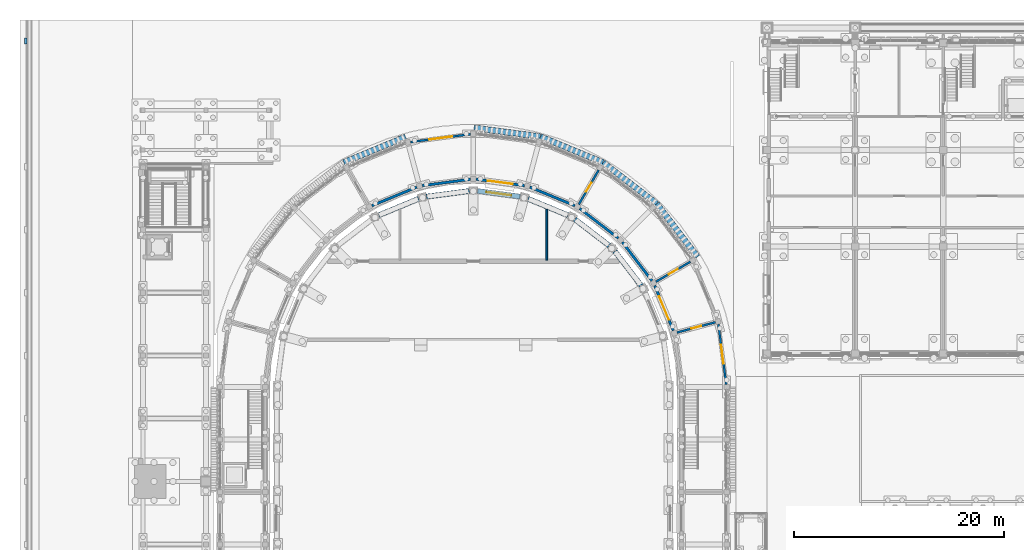
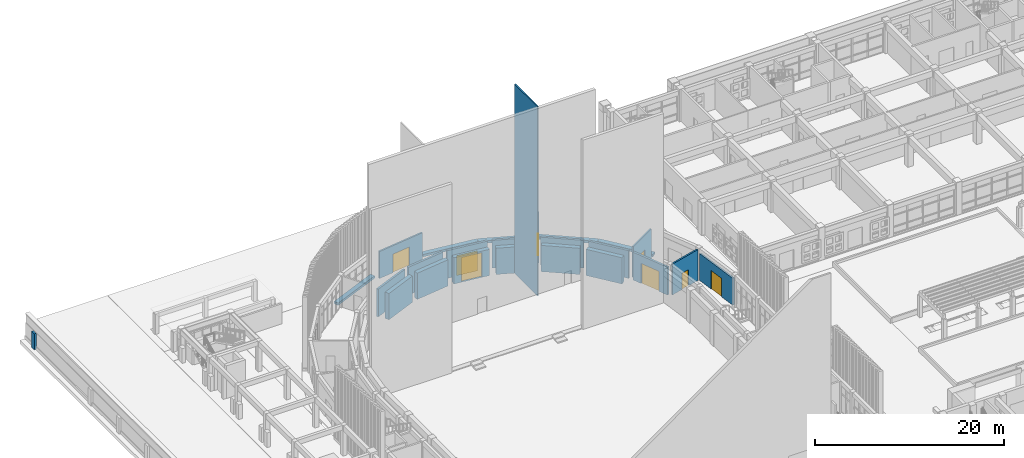
# One storey, part 70 of 112: 25 walls, 8 doors, 8 openings.
"""IFC4 building model written with IfcOpenShell, lengths in metres."""

from ifc_helpers import new_model, si_unit, direction, frame, frame_2d, origin, place, context, subcontext, project, spatial, rectangle, extrude, material, layer, layer_set, type_object, element, fill, save


model = new_model("IFC4")

# Units and contexts
model_context = context("Model", 3, precision=1e-05, world=origin(), true_north=direction((0.0, 1.0)))
body_context = subcontext(model_context, "Body", "Model", "MODEL_VIEW")
ifc_project = project(units=[si_unit("LENGTHUNIT", "METRE"), si_unit("AREAUNIT", "SQUARE_METRE"), si_unit("VOLUMEUNIT", "CUBIC_METRE"), si_unit("PLANEANGLEUNIT", "RADIAN"), si_unit("MASSUNIT", "GRAM", prefix="KILO")], contexts=[model_context])

# Site, building, storey
site_placement = place(None, origin())
site = spatial("IfcSite", under=ifc_project, at=site_placement, CompositionType="ELEMENT")
building_placement = place(site_placement, origin())
building = spatial("IfcBuilding", under=site, at=building_placement, Name="Wasatch Bagh Community Centre", CompositionType="ELEMENT")
storey_placement = place(building_placement, origin())
storey = spatial("IfcBuildingStorey", under=building, at=storey_placement, Name="L00", CompositionType="ELEMENT", Elevation=0.0)

# Wall, opening, door
ifc_material_1 = material(Name="Concrete C40", Category="concrete")
ifc_layer_1 = layer(ifc_material_1, 0.199951171875)
ifc_layer_set_1 = layer_set([ifc_layer_1], Name="Concrete C40")
wall_type_1 = type_object("IfcWallType", Name="Drum core wall RC WALL 200", PredefinedType="STANDARD", material=ifc_layer_set_1)
wall_1_placement = place(storey_placement, frame((55.4150390625, 70.2021484375, 0.0), z_axis=(0.0, 0.0, 1.0), x_axis=(0.965919660258, 0.258842055948, 0.0)))
wall_1 = element("IfcWall", 1, at=wall_1_placement, inside=storey, type_object=wall_type_1, Name="Partition 19", PredefinedType="STANDARD", context=body_context, shape_type="SweptSolid", body=[
    extrude(rectangle(XDim=3.800048828125, YDim=0.199951171875, at=frame_2d((1.89990234375, 0.0))), origin(), (0.0, 0.0, 1.0), 4.0),
])
opening_1_placement = place(wall_1_placement, frame((1.39990234375, 0.0, 0.0)))
opening_1 = element("IfcOpeningElement", 2, at=opening_1_placement, cuts=wall_1, Name="Opening 0F-27", PredefinedType="OPENING", context=body_context, shape_type="SweptSolid", body=[
    extrude(rectangle(XDim=1.0, YDim=2.10009765625, at=frame_2d((0.5, 1.050048828125))), frame((0.0, 0.10986328125, 0.0), z_axis=(0.0, -1.0, 0.0), x_axis=(1.0, 0.0, 0.0)), (0.0, 0.0, 1.0), 0.219970703125),
])
ifc_material_2 = material(Name="Timber door leaf in steel frame", Category="steel")
door_type_1 = type_object("IfcDoorType", Name="Drum door single 1000 x 2100", OperationType="SINGLE_SWING_LEFT", PredefinedType="DOOR", material=ifc_material_2)
door_1_placement = place(opening_1_placement, origin())
door_1 = element("IfcDoor", 3, at=door_1_placement, inside=storey, type_object=door_type_1, Name="Door 0F-27", OperationType="SINGLE_SWING_LEFT", OverallHeight=2.10009765625, OverallWidth=1.0, PredefinedType="DOOR", context=body_context, shape_type="SweptSolid", body=[
    extrude(rectangle(XDim=1.0, YDim=2.10009765625, at=frame_2d((0.5, 1.050048828125))), frame((0.0, 0.02490234375, 0.0), z_axis=(0.0, -1.0, 0.0), x_axis=(1.0, 0.0, 0.0)), (0.0, 0.0, 1.0), 0.050048828125),
])
fill(opening_1, door_1)

ifc_layer_2 = layer(ifc_material_1, 0.199951171875)
ifc_layer_set_2 = layer_set([ifc_layer_2], Name="Concrete C40")
wall_type_2 = type_object("IfcWallType", Name="Drum entrance bay wall RC WALL 200", PredefinedType="STANDARD", material=ifc_layer_set_2)
wall_2_placement = place(storey_placement, frame((60.115234375, 65.263427734375, 0.0), z_axis=(0.0, 0.0, 1.0), x_axis=(-0.130512494435, 0.991446664625, 0.0)))
wall_2 = element("IfcWall", 4, at=wall_2_placement, inside=storey, type_object=wall_type_2, Name="Entrance bay wall 19", PredefinedType="STANDARD", context=body_context, shape_type="SweptSolid", body=[
    extrude(rectangle(XDim=5.772705078125, YDim=0.199951171875, at=frame_2d((2.88623046875, 0.0))), origin(), (0.0, 0.0, 1.0), 3.5),
])
opening_2_placement = place(wall_2_placement, frame((1.986328125, 0.0, 0.0)))
opening_2 = element("IfcOpeningElement", 5, at=opening_2_placement, cuts=wall_2, Name="Opening 0F-08", PredefinedType="OPENING", context=body_context, shape_type="SweptSolid", body=[
    extrude(rectangle(XDim=1.800048828125, YDim=2.39990234375, at=frame_2d((0.89990234375, 1.199951171875))), frame((0.0, 0.10986328125, 0.0), z_axis=(0.0, -1.0, 0.0), x_axis=(1.0, 0.0, 0.0)), (0.0, 0.0, 1.0), 0.219970703125),
])
ifc_material_3 = material(Name="Aluminium framed door with low-iron insulated glass", Category="aluminium")
door_type_2 = type_object("IfcDoorType", Name="Drum exit door pair 1800 x 2400", OperationType="DOUBLE_DOOR_DOUBLE_SWING", PredefinedType="DOOR", material=ifc_material_3)
door_2_placement = place(opening_2_placement, origin())
door_2 = element("IfcDoor", 6, at=door_2_placement, inside=storey, type_object=door_type_2, Name="Door 0F-08", OperationType="DOUBLE_DOOR_DOUBLE_SWING", OverallHeight=2.39990234375, OverallWidth=1.800048828125, PredefinedType="DOOR", context=body_context, shape_type="SweptSolid", body=[
    extrude(rectangle(XDim=1.800048828125, YDim=2.39990234375, at=frame_2d((0.89990234375, 1.199951171875))), frame((0.0, 0.02490234375, 0.0), z_axis=(0.0, -1.0, 0.0), x_axis=(1.0, 0.0, 0.0)), (0.0, 0.0, 1.0), 0.050048828125),
])
fill(opening_2, door_2)

wall_3_placement = place(storey_placement, frame((35.736572265625, 89.115234375, 0.0), z_axis=(0.0, 0.0, 1.0), x_axis=(-0.991446664625, -0.130512494435, 0.0)))
wall_3 = element("IfcWall", 7, at=wall_3_placement, inside=storey, type_object=wall_type_2, Name="Entrance bay wall 25", PredefinedType="STANDARD", context=body_context, shape_type="SweptSolid", body=[
    extrude(rectangle(XDim=5.772705078125, YDim=0.199951171875, at=frame_2d((2.88623046875, 0.0))), origin(), (0.0, 0.0, 1.0), 3.5),
])
opening_3_placement = place(wall_3_placement, frame((1.786376953125, 0.0, 0.0)))
opening_3 = element("IfcOpeningElement", 8, at=opening_3_placement, cuts=wall_3, Name="Opening 0F-10", PredefinedType="OPENING", context=body_context, shape_type="SweptSolid", body=[
    extrude(rectangle(XDim=2.199951171875, YDim=2.39990234375, at=frame_2d((1.10009765625, 1.199951171875))), frame((0.0, 0.10986328125, 0.0), z_axis=(0.0, -1.0, 0.0), x_axis=(1.0, 0.0, 0.0)), (0.0, 0.0, 1.0), 0.219970703125),
])
door_type_3 = type_object("IfcDoorType", Name="Drum hall exit door pair 2200 x 2400", OperationType="DOUBLE_DOOR_DOUBLE_SWING", PredefinedType="DOOR", material=ifc_material_3)
door_3_placement = place(opening_3_placement, origin())
door_3 = element("IfcDoor", 9, at=door_3_placement, inside=storey, type_object=door_type_3, Name="Door 0F-10", OperationType="DOUBLE_DOOR_DOUBLE_SWING", OverallHeight=2.39990234375, OverallWidth=2.199951171875, PredefinedType="DOOR", context=body_context, shape_type="SweptSolid", body=[
    extrude(rectangle(XDim=2.199951171875, YDim=2.39990234375, at=frame_2d((1.10009765625, 1.199951171875))), frame((0.0, 0.02490234375, 0.0), z_axis=(0.0, -1.0, 0.0), x_axis=(1.0, 0.0, 0.0)), (0.0, 0.0, 1.0), 0.050048828125),
])
fill(opening_3, door_3)

ifc_layer_3 = layer(ifc_material_1, 0.25)
ifc_layer_set_3 = layer_set([ifc_layer_3], Name="Concrete C40")
wall_type_3 = type_object("IfcWallType", Name="Drum inner wall RC WALL 250", PredefinedType="SHEAR", material=ifc_layer_set_3)
wall_4_placement = place(storey_placement, frame((55.070556640625, 70.38623046875, 0.0), z_axis=(0.0, 0.0, 1.0), x_axis=(-0.382658268537, 0.923889955309, 0.0)))
wall_4 = element("IfcWall", 10, at=wall_4_placement, inside=storey, type_object=wall_type_3, Name="Inner wall 20", PredefinedType="SHEAR", context=body_context, shape_type="SweptSolid", body=[
    extrude(rectangle(XDim=4.6435546875, YDim=0.25, at=frame_2d((2.32177734375, 0.0))), origin(), (0.0, 0.0, 1.0), 3.60009765625),
])
opening_4_placement = place(wall_4_placement, frame((1.121826171875, 0.0, 0.0)))
opening_4 = element("IfcOpeningElement", 11, at=opening_4_placement, cuts=wall_4, Name="Opening 0F-66", PredefinedType="OPENING", context=body_context, shape_type="SweptSolid", body=[
    extrude(rectangle(XDim=2.39990234375, YDim=2.60009765625, at=frame_2d((1.199951171875, 1.300048828125))), frame((0.0, 0.135009765625, 0.0), z_axis=(0.0, -1.0, 0.0), x_axis=(1.0, 0.0, 0.0)), (0.0, 0.0, 1.0), 0.27001953125),
])
door_type_4 = type_object("IfcDoorType", Name="Drum gate door pair 2400 x 2600", OperationType="DOUBLE_DOOR_SLIDING", PredefinedType="DOOR", material=ifc_material_3)
door_4_placement = place(opening_4_placement, origin())
door_4 = element("IfcDoor", 12, at=door_4_placement, inside=storey, type_object=door_type_4, Name="Door 0F-66", OperationType="DOUBLE_DOOR_SLIDING", OverallHeight=2.60009765625, OverallWidth=2.39990234375, PredefinedType="DOOR", context=body_context, shape_type="SweptSolid", body=[
    extrude(rectangle(XDim=2.39990234375, YDim=2.60009765625, at=frame_2d((1.199951171875, 1.300048828125))), frame((0.0, 0.02490234375, 0.0), z_axis=(0.0, -1.0, 0.0), x_axis=(1.0, 0.0, 0.0)), (0.0, 0.0, 1.0), 0.050048828125),
])
fill(opening_4, door_4)

# Walls
for number, where, z_axis, x_axis, name in (
    (13, (53.02685546875, 75.138427734375, 0.0), (0.0, 0.0, 1.0), (-0.608762612058, 0.793352432504, 0.0), "Inner wall 21"),
    (14, (49.822509765625, 79.199951171875, 0.0), (0.0, 0.0, 1.0), (-0.793352432504, 0.608762612058, 0.0), "Inner wall 22"),
):
    element("IfcWall", number, at=place(storey_placement, frame(where, z_axis=z_axis, x_axis=x_axis)), inside=storey, type_object=wall_type_3, Name=name, PredefinedType="SHEAR", context=body_context, shape_type="SweptSolid", body=[
        extrude(rectangle(XDim=4.643798828125, YDim=0.25, at=frame_2d((2.32177734375, 0.0))), origin(), (0.0, 0.0, 1.0), 3.60009765625),
    ])
wall_5_placement = place(storey_placement, frame((45.67626953125, 82.293701171875, 0.0), z_axis=(0.0, 0.0, 1.0), x_axis=(-0.923889955309, 0.382658268537, 0.0)))
element("IfcWall", 15, at=wall_5_placement, inside=storey, type_object=wall_type_3, Name="Inner wall 23", PredefinedType="SHEAR", context=body_context, shape_type="SweptSolid", body=[
    extrude(rectangle(XDim=4.6435546875, YDim=0.25, at=frame_2d((2.32177734375, 0.0))), origin(), (0.0, 0.0, 1.0), 3.60009765625),
])

# Wall, opening, door
wall_6_placement = place(storey_placement, frame((40.870849609375, 84.208740234375, 0.0), z_axis=(0.0, 0.0, 1.0), x_axis=(-0.991442839224, 0.130541551055, 0.0)))
wall_6 = element("IfcWall", 16, at=wall_6_placement, inside=storey, type_object=wall_type_3, Name="Inner wall 24", PredefinedType="SHEAR", context=body_context, shape_type="SweptSolid", body=[
    extrude(rectangle(XDim=4.643798828125, YDim=0.25, at=frame_2d((2.32177734375, 0.0))), origin(), (0.0, 0.0, 1.0), 3.60009765625),
])
opening_5_placement = place(wall_6_placement, frame((1.121826171875, 0.0, 0.0)))
opening_5 = element("IfcOpeningElement", 17, at=opening_5_placement, cuts=wall_6, Name="Opening 0F-70", PredefinedType="OPENING", context=body_context, shape_type="SweptSolid", body=[
    extrude(rectangle(XDim=2.39990234375, YDim=2.60009765625, at=frame_2d((1.199951171875, 1.300048828125))), frame((0.0, 0.135009765625, 0.0), z_axis=(0.0, -1.0, 0.0), x_axis=(1.0, 0.0, 0.0)), (0.0, 0.0, 1.0), 0.27001953125),
])
door_5_placement = place(opening_5_placement, origin())
door_5 = element("IfcDoor", 18, at=door_5_placement, inside=storey, type_object=door_type_4, Name="Door 0F-70", OperationType="DOUBLE_DOOR_SLIDING", OverallHeight=2.60009765625, OverallWidth=2.39990234375, PredefinedType="DOOR", context=body_context, shape_type="SweptSolid", body=[
    extrude(rectangle(XDim=2.39990234375, YDim=2.60009765625, at=frame_2d((1.199951171875, 1.300048828125))), frame((0.0, 0.02490234375, 0.0), z_axis=(0.0, -1.0, 0.0), x_axis=(1.0, 0.0, 0.0)), (0.0, 0.0, 1.0), 0.050048828125),
])
fill(opening_5, door_5)

# Walls
wall_7_placement = place(storey_placement, frame((35.733154296875, 84.81494140625, 0.0), z_axis=(0.0, 0.0, 1.0), x_axis=(-0.991442839224, -0.130541551055, 0.0)))
element("IfcWall", 19, at=wall_7_placement, inside=storey, type_object=wall_type_3, Name="Inner wall 25", PredefinedType="SHEAR", context=body_context, shape_type="SweptSolid", body=[
    extrude(rectangle(XDim=4.643798828125, YDim=0.25, at=frame_2d((2.32177734375, 0.0))), origin(), (0.0, 0.0, 1.0), 3.60009765625),
])
wall_8_placement = place(storey_placement, frame((30.61376953125, 84.070556640625, 0.0), z_axis=(0.0, 0.0, 1.0), x_axis=(-0.923889955309, -0.382658268537, 0.0)))
element("IfcWall", 20, at=wall_8_placement, inside=storey, type_object=wall_type_3, Name="Inner wall 26", PredefinedType="SHEAR", context=body_context, shape_type="SweptSolid", body=[
    extrude(rectangle(XDim=4.6435546875, YDim=0.25, at=frame_2d((2.32177734375, 0.0))), origin(), (0.0, 0.0, 1.0), 3.60009765625),
])

# Wall, opening, door
ifc_material_4 = material(Name="Gypsum board partition on steel studs", Category="steel")
ifc_layer_4 = layer(ifc_material_4, 0.199951171875)
ifc_layer_set_4 = layer_set([ifc_layer_4], Name="Gypsum board partition on steel studs")
wall_type_4 = type_object("IfcWallType", Name="Drum partition 200", PredefinedType="PARTITIONING", material=ifc_layer_set_4)
wall_9_placement = place(storey_placement, frame((53.4072265625, 75.050048828125, 0.0), z_axis=(0.0, 0.0, 1.0), x_axis=(0.866028304915, 0.499994975061, 0.0)))
wall_9 = element("IfcWall", 21, at=wall_9_placement, inside=storey, type_object=wall_type_4, Name="Partition 20", PredefinedType="PARTITIONING", context=body_context, shape_type="SweptSolid", body=[
    extrude(rectangle(XDim=3.7998046875, YDim=0.199951171875, at=frame_2d((1.89990234375, 0.0))), origin(), (0.0, 0.0, 1.0), 4.0),
])
opening_6_placement = place(wall_9_placement, frame((1.39990234375, 0.0, 0.0)))
opening_6 = element("IfcOpeningElement", 22, at=opening_6_placement, cuts=wall_9, Name="Opening 0F-28", PredefinedType="OPENING", context=body_context, shape_type="SweptSolid", body=[
    extrude(rectangle(XDim=1.0, YDim=2.10009765625, at=frame_2d((0.5, 1.050048828125))), frame((0.0, 0.10986328125, 0.0), z_axis=(0.0, -1.0, 0.0), x_axis=(1.0, 0.0, 0.0)), (0.0, 0.0, 1.0), 0.219970703125),
])
door_6_placement = place(opening_6_placement, origin())
door_6 = element("IfcDoor", 23, at=door_6_placement, inside=storey, type_object=door_type_1, Name="Door 0F-28", OperationType="SINGLE_SWING_LEFT", OverallHeight=2.10009765625, OverallWidth=1.0, PredefinedType="DOOR", context=body_context, shape_type="SweptSolid", body=[
    extrude(rectangle(XDim=1.0, YDim=2.10009765625, at=frame_2d((0.5, 1.050048828125))), frame((0.0, 0.02490234375, 0.0), z_axis=(0.0, -1.0, 0.0), x_axis=(1.0, 0.0, 0.0)), (0.0, 0.0, 1.0), 0.050048828125),
])
fill(opening_6, door_6)

wall_10_placement = place(storey_placement, frame((46.050048828125, 82.4072265625, 0.0), z_axis=(0.0, 0.0, 1.0), x_axis=(0.499994975061, 0.866028304915, 0.0)))
wall_10 = element("IfcWall", 24, at=wall_10_placement, inside=storey, type_object=wall_type_4, Name="Partition 22", PredefinedType="PARTITIONING", context=body_context, shape_type="SweptSolid", body=[
    extrude(rectangle(XDim=3.7998046875, YDim=0.199951171875, at=frame_2d((1.89990234375, 0.0))), origin(), (0.0, 0.0, 1.0), 4.0),
])
opening_7_placement = place(wall_10_placement, frame((1.39990234375, 0.0, 0.0)))
opening_7 = element("IfcOpeningElement", 25, at=opening_7_placement, cuts=wall_10, Name="Opening 0F-29", PredefinedType="OPENING", context=body_context, shape_type="SweptSolid", body=[
    extrude(rectangle(XDim=1.0, YDim=2.10009765625, at=frame_2d((0.5, 1.050048828125))), frame((0.0, 0.10986328125, 0.0), z_axis=(0.0, -1.0, 0.0), x_axis=(1.0, 0.0, 0.0)), (0.0, 0.0, 1.0), 0.219970703125),
])
door_7_placement = place(opening_7_placement, origin())
door_7 = element("IfcDoor", 26, at=door_7_placement, inside=storey, type_object=door_type_1, Name="Door 0F-29", OperationType="SINGLE_SWING_RIGHT", OverallHeight=2.10009765625, OverallWidth=1.0, PredefinedType="DOOR", context=body_context, shape_type="SweptSolid", body=[
    extrude(rectangle(XDim=1.0, YDim=2.10009765625, at=frame_2d((0.5, 1.050048828125))), frame((0.0, 0.02490234375, 0.0), z_axis=(0.0, -1.0, 0.0), x_axis=(1.0, 0.0, 0.0)), (0.0, 0.0, 1.0), 0.050048828125),
])
fill(opening_7, door_7)

# Walls
ifc_material_5 = material(Name="Concrete C35 faced in red sandstone", Category="masonry")
ifc_layer_5 = layer(ifc_material_5, 0.669921875)
ifc_layer_set_5 = layer_set([ifc_layer_5], Name="Concrete C35 faced in red sandstone")
wall_type_5 = type_object("IfcWallType", Name="Drum sandstone plinth", PredefinedType="STANDARD", material=ifc_layer_set_5)
wall_11_placement = place(storey_placement, frame((57.36669921875, 77.421875, 0.0), z_axis=(0.0, 0.0, 1.0), x_axis=(-0.60874074273, 0.793369213003, 0.0)))
element("IfcWall", 27, at=wall_11_placement, inside=storey, type_object=wall_type_5, Name="Sandstone plinth 21", PredefinedType="STANDARD", context=body_context, shape_type="SweptSolid", body=[
    extrude(rectangle(XDim=6.364501953125, YDim=0.56005859375, at=frame_2d((3.18212890625, 0.0))), origin(), (0.0, 0.0, 1.0), 0.300048828125),
])
wall_12_placement = place(storey_placement, frame((53.47119140625, 82.492431640625, 0.0), z_axis=(0.0, 0.0, 1.0), x_axis=(-0.79334816813, 0.608768169442, 0.0)))
element("IfcWall", 28, at=wall_12_placement, inside=storey, type_object=wall_type_5, Name="Sandstone plinth 22", PredefinedType="STANDARD", context=body_context, shape_type="SweptSolid", body=[
    extrude(rectangle(XDim=6.42431640625, YDim=0.56005859375, at=frame_2d((3.212158203125, 0.0))), origin(), (0.0, 0.0, 1.0), 0.300048828125),
])
wall_13_placement = place(storey_placement, frame((48.3486328125, 86.418212890625, 0.0), z_axis=(0.0, 0.0, 1.0), x_axis=(-0.923884370922, 0.3826717512, 0.0)))
element("IfcWall", 29, at=wall_13_placement, inside=storey, type_object=wall_type_5, Name="Sandstone plinth 23", PredefinedType="STANDARD", context=body_context, shape_type="SweptSolid", body=[
    extrude(rectangle(XDim=6.424560546875, YDim=0.56005859375, at=frame_2d((3.21240234375, 0.0))), origin(), (0.0, 0.0, 1.0), 0.300048828125),
])
wall_14_placement = place(storey_placement, frame((42.38427734375, 88.884521484375, 0.0), z_axis=(0.0, 0.0, 1.0), x_axis=(-0.991447635211, 0.130505121106, 0.0)))
element("IfcWall", 30, at=wall_14_placement, inside=storey, type_object=wall_type_5, Name="Sandstone plinth 24", PredefinedType="STANDARD", context=body_context, shape_type="SweptSolid", body=[
    extrude(rectangle(XDim=6.3642578125, YDim=0.56005859375, at=frame_2d((3.18212890625, 0.0))), origin(), (0.0, 0.0, 1.0), 0.300048828125),
])
wall_15_placement = place(storey_placement, frame((29.531494140625, 88.853759765625, 0.0), z_axis=(0.0, 0.0, 1.0), x_axis=(-0.923884057426, -0.382672508071, 0.0)))
element("IfcWall", 31, at=wall_15_placement, inside=storey, type_object=wall_type_5, Name="Sandstone plinth 26", PredefinedType="STANDARD", context=body_context, shape_type="SweptSolid", body=[
    extrude(rectangle(XDim=6.364501953125, YDim=0.56005859375, at=frame_2d((3.18212890625, 0.0))), origin(), (0.0, 0.0, 1.0), 0.300048828125),
])
ifc_material_6 = material(Name="Concrete masonry block wall, plastered", Category="masonry")
ifc_layer_6 = layer(ifc_material_6, 0.14990234375)
ifc_layer_set_6 = layer_set([ifc_layer_6], Name="Concrete masonry block wall, plastered")
wall_type_6 = type_object("IfcWallType", Name="MH back-of-house block wall 150", PredefinedType="PARTITIONING", material=ifc_layer_set_6)
wall_16_placement = place(storey_placement, frame((43.0, 77.10009765625, 0.0), z_axis=(0.0, 0.0, 1.0), x_axis=(0.0, 1.0, 0.0)))
element("IfcWall", 32, at=wall_16_placement, inside=storey, type_object=wall_type_6, Name="Back-of-house wall 2", PredefinedType="PARTITIONING", context=body_context, shape_type="SweptSolid", body=[
    extrude(rectangle(XDim=4.85107421875, YDim=0.14990234375, at=frame_2d((2.425537109375, 0.0))), origin(), (0.0, 0.0, 1.0), 24.5),
])
ifc_layer_7 = layer(ifc_material_1, 0.5)
ifc_layer_set_7 = layer_set([ifc_layer_7], Name="Concrete C40")
wall_type_7 = type_object("IfcWallType", Name="MH wall RC WALL 500", PredefinedType="SHEAR", material=ifc_layer_set_7)
for number, where, z_axis, x_axis, name in (
    (33, (52.002685546875, 74.681640625, 0.0), (0.0, 0.0, 1.0), (-0.60877717335, 0.793341258985, 0.0), "Capsule wall 21"),
    (34, (48.95166015625, 78.493408203125, 0.0), (0.0, 0.0, 1.0), (-0.793341258985, 0.60877717335, 0.0), "Capsule wall 22"),
    (35, (45.01806640625, 81.3857421875, 0.0), (0.0, 0.0, 1.0), (-0.923877504262, 0.382688328955, 0.0), "Capsule wall 23"),
):
    element("IfcWall", number, at=place(storey_placement, frame(where, z_axis=z_axis, x_axis=x_axis)), inside=storey, type_object=wall_type_7, Name=name, PredefinedType="SHEAR", context=body_context, shape_type="SweptSolid", body=[
        extrude(rectangle(XDim=4.121826171875, YDim=0.5, at=frame_2d((2.06103515625, 0.0))), origin(), (0.0, 0.0, 1.0), 3.39990234375),
    ])

# Wall, opening, door
wall_17_placement = place(storey_placement, frame((40.4697265625, 83.16162109375, 0.0), z_axis=(0.0, 0.0, 1.0), x_axis=(-0.991450464722, 0.130483623501, 0.0)))
wall_17 = element("IfcWall", 36, at=wall_17_placement, inside=storey, type_object=wall_type_7, Name="Capsule wall 24", PredefinedType="SHEAR", context=body_context, shape_type="SweptSolid", body=[
    extrude(rectangle(XDim=4.121826171875, YDim=0.5, at=frame_2d((2.06103515625, 0.0))), origin(), (0.0, 0.0, 1.0), 3.39990234375),
])
opening_8_placement = place(wall_17_placement, frame((0.86083984375, 0.0, 0.0)))
opening_8 = element("IfcOpeningElement", 37, at=opening_8_placement, cuts=wall_17, Name="Opening 0M-07", PredefinedType="OPENING", context=body_context, shape_type="SweptSolid", body=[
    extrude(rectangle(XDim=2.39990234375, YDim=3.199951171875, at=frame_2d((1.199951171875, 1.60009765625))), frame((0.0, 0.260009765625, 0.0), z_axis=(0.0, -1.0, 0.0), x_axis=(1.0, 0.0, 0.0)), (0.0, 0.0, 1.0), 0.52001953125),
])
door_type_5 = type_object("IfcDoorType", Name="MH gate door pair 2400 x 3200", OperationType="DOUBLE_DOOR_SLIDING", PredefinedType="DOOR", material=ifc_material_3)
door_8_placement = place(opening_8_placement, origin())
door_8 = element("IfcDoor", 38, at=door_8_placement, inside=storey, type_object=door_type_5, Name="Door 0M-07", OperationType="DOUBLE_DOOR_SLIDING", OverallHeight=3.199951171875, OverallWidth=2.39990234375, PredefinedType="DOOR", context=body_context, shape_type="SweptSolid", body=[
    extrude(rectangle(XDim=2.39990234375, YDim=3.199951171875, at=frame_2d((1.199951171875, 1.60009765625))), frame((0.0, 0.02490234375, 0.0), z_axis=(0.0, -1.0, 0.0), x_axis=(1.0, 0.0, 0.0)), (0.0, 0.0, 1.0), 0.050048828125),
])
fill(opening_8, door_8)

# Walls
for number, where, z_axis, x_axis, name in (
    (39, (35.616943359375, 83.699462890625, 0.0), (0.0, 0.0, 1.0), (-0.991450464722, -0.130483623501, 0.0), "Capsule wall 25"),
    (40, (30.7900390625, 82.963134765625, 0.0), (0.0, 0.0, 1.0), (-0.923877504262, -0.382688328955, 0.0), "Capsule wall 26"),
):
    element("IfcWall", number, at=place(storey_placement, frame(where, z_axis=z_axis, x_axis=x_axis)), inside=storey, type_object=wall_type_7, Name=name, PredefinedType="SHEAR", context=body_context, shape_type="SweptSolid", body=[
        extrude(rectangle(XDim=4.121826171875, YDim=0.5, at=frame_2d((2.06103515625, 0.0))), origin(), (0.0, 0.0, 1.0), 3.39990234375),
    ])
ifc_material_7 = material(Name="Concrete C35", Category="concrete")
ifc_layer_8 = layer(ifc_material_7, 0.25)
ifc_layer_set_8 = layer_set([ifc_layer_8], Name="Concrete C35")
wall_type_8 = type_object("IfcWallType", Name="SITE-QP", PredefinedType="SOLIDWALL", material=ifc_layer_set_8)
wall_18_placement = place(storey_placement, frame((-6.675048828125, 97.699951171875, -2.050048828125), z_axis=(0.0, 0.0, 1.0), x_axis=(0.0, 1.0, 0.0)))
element("IfcWall", 41, at=wall_18_placement, inside=storey, type_object=wall_type_8, Name="Quay pilaster 15", PredefinedType="SOLIDWALL", context=body_context, shape_type="SweptSolid", body=[
    extrude(rectangle(XDim=0.60009765625, YDim=0.25, at=frame_2d((0.300048828125, 0.0))), origin(), (0.0, 0.0, 1.0), 2.050048828125),
])

save(model, "model.ifc")
